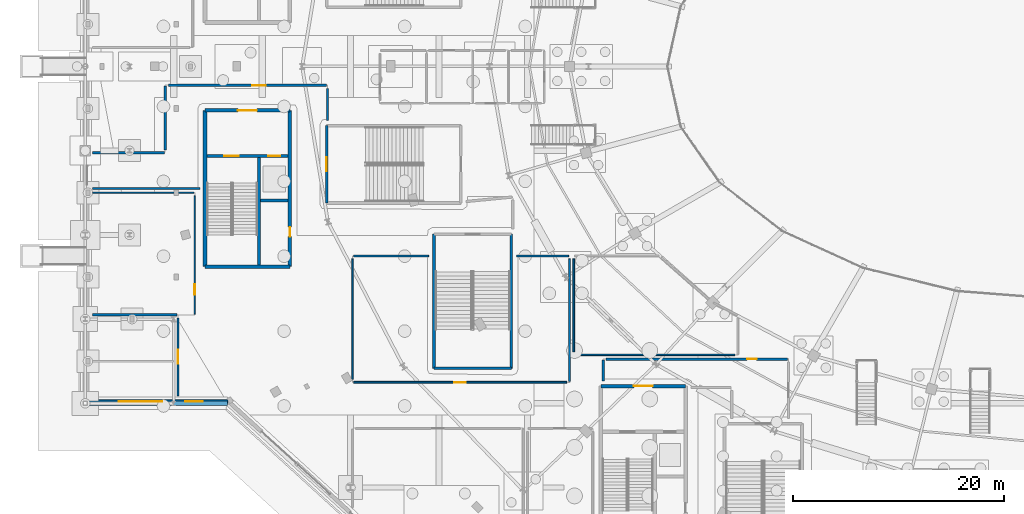
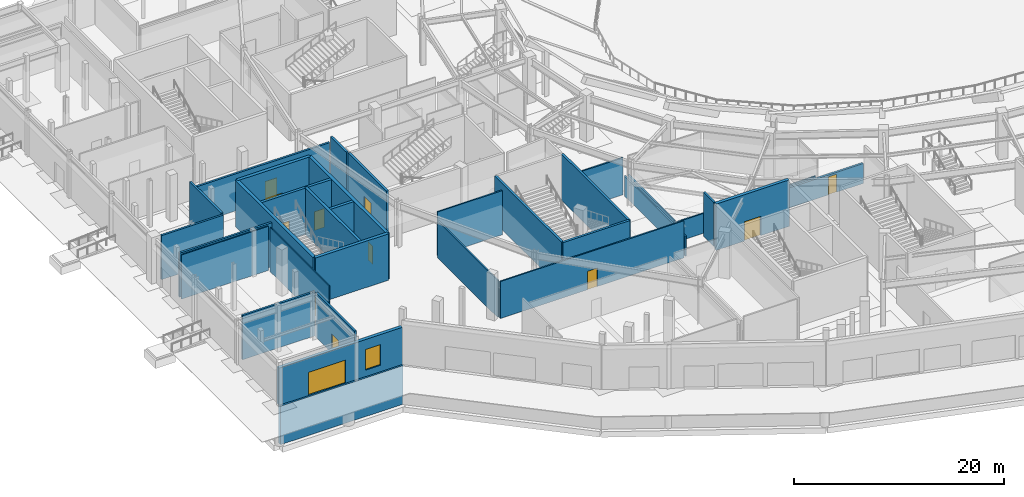
# One storey, part 52 of 93: 32 walls, 12 doors, 1 window, 13 openings.
"""IFC4 building model written with IfcOpenShell, lengths in metres."""

from ifc_helpers import new_model, si_unit, direction, frame, frame_2d, origin, place, context, subcontext, project, spatial, rectangle, extrude, material, layer, layer_set, type_object, element, fill, save


model = new_model("IFC4")

# Units and contexts
model_context = context("Model", 3, precision=1e-05, world=origin(), true_north=direction((0.0, 1.0)))
body_context = subcontext(model_context, "Body", "Model", "MODEL_VIEW")
ifc_project = project(units=[si_unit("LENGTHUNIT", "METRE"), si_unit("AREAUNIT", "SQUARE_METRE"), si_unit("VOLUMEUNIT", "CUBIC_METRE"), si_unit("PLANEANGLEUNIT", "RADIAN"), si_unit("MASSUNIT", "GRAM", prefix="KILO")], contexts=[model_context])

# Site, building, storey
site_placement = place(None, origin())
site = spatial("IfcSite", under=ifc_project, at=site_placement, CompositionType="ELEMENT")
building_placement = place(site_placement, origin())
building = spatial("IfcBuilding", under=site, at=building_placement, Name="Kalgoora Escarpment Arena", CompositionType="ELEMENT")
storey_placement = place(building_placement, origin())
storey = spatial("IfcBuildingStorey", under=building, at=storey_placement, Name="L00", CompositionType="ELEMENT", Elevation=0.0)

# Walls
ifc_material_1 = material(Name="Impact-resistant athlete corridor partition", Category="gypsum")
ifc_layer_1 = layer(ifc_material_1, 0.155029296875)
ifc_layer_set_1 = layer_set([ifc_layer_1], Name="WAL-BOH-155")
wall_type_1 = type_object("IfcWallType", Name="WAL-BOH-155", PredefinedType="PARTITIONING", material=ifc_layer_set_1)
wall_1_placement = place(storey_placement, frame((25.47998046875, 46.0, 0.0), z_axis=(0.0, 0.0, 1.0), x_axis=(1.0, 0.0, 0.0)))
element("IfcWall", 1, at=wall_1_placement, inside=storey, type_object=wall_type_1, Name="L00 Athlete Warm-Up Studio partition wall", PredefinedType="PARTITIONING", context=body_context, shape_type="SweptSolid", body=[
    extrude(rectangle(XDim=7.14501953125, YDim=0.155029296875, at=frame_2d((3.572509765625, 0.0))), origin(), (0.0, 0.0, 1.0), 5.139892578125),
])
wall_2_placement = place(storey_placement, frame((40.97509765625, 46.0, 0.0), z_axis=(0.0, 0.0, 1.0), x_axis=(1.0, 0.0, 0.0)))
element("IfcWall", 2, at=wall_2_placement, inside=storey, type_object=wall_type_1, Name="L00 Athlete Warm-Up Studio partition wall", PredefinedType="PARTITIONING", context=body_context, shape_type="SweptSolid", body=[
    extrude(rectangle(XDim=4.94482421875, YDim=0.155029296875, at=frame_2d((2.472412109375, 0.0))), origin(), (0.0, 0.0, 1.0), 4.31494140625),
])
wall_3_placement = place(storey_placement, frame((46.0, 45.715087890625, 0.0), z_axis=(0.0, 0.0, 1.0), x_axis=(0.0, -1.0, 0.0)))
element("IfcWall", 3, at=wall_3_placement, inside=storey, type_object=wall_type_1, Name="L00 Athlete Warm-Up Studio partition wall", PredefinedType="PARTITIONING", context=body_context, shape_type="SweptSolid", body=[
    extrude(rectangle(XDim=11.635009765625, YDim=0.155029296875, at=frame_2d((5.8173828125, 0.0))), origin(), (0.0, 0.0, 1.0), 2.322998046875),
])

# Wall, opening, door
wall_4_placement = place(storey_placement, frame((45.715087890625, 34.0, 0.0), z_axis=(0.0, 0.0, 1.0), x_axis=(-1.0, 0.0, 0.0)))
wall_4 = element("IfcWall", 4, at=wall_4_placement, inside=storey, type_object=wall_type_1, Name="L00 Athlete Warm-Up Studio partition wall", PredefinedType="PARTITIONING", context=body_context, shape_type="SweptSolid", body=[
    extrude(rectangle(XDim=20.235107421875, YDim=0.155029296875, at=frame_2d((10.11767578125, 0.0))), origin(), (0.0, 0.0, 1.0), 4.31494140625),
])
opening_1_placement = place(wall_4_placement, frame((9.57763671875, 0.0, 0.0)))
opening_1 = element("IfcOpeningElement", 5, at=opening_1_placement, cuts=wall_4, Name="Opening FD-I014", PredefinedType="OPENING", context=body_context, shape_type="SweptSolid", body=[
    extrude(rectangle(XDim=1.080078125, YDim=2.14990234375, at=frame_2d((0.5400390625, 1.074951171875))), frame((0.0, 0.08740234375, 0.0), z_axis=(0.0, -1.0, 0.0), x_axis=(1.0, 0.0, 0.0)), (0.0, 0.0, 1.0), 0.175048828125),
])
ifc_material_2 = material(Name="Solid-core acoustic timber door", Category="wood")
door_type_1 = type_object("IfcDoorType", Name="DR-GEN-1080", OperationType="NOTDEFINED", PredefinedType="DOOR", material=ifc_material_2)
door_1_placement = place(opening_1_placement, origin())
door_1 = element("IfcDoor", 6, at=door_1_placement, inside=storey, type_object=door_type_1, Name="Athlete Warm-Up Studio entrance door", OperationType="SINGLE_SWING_LEFT", OverallHeight=2.14990234375, OverallWidth=1.080078125, PredefinedType="DOOR", context=body_context, shape_type="SweptSolid", body=[
    extrude(rectangle(XDim=1.080078125, YDim=2.14990234375, at=frame_2d((0.5400390625, 1.074951171875))), frame((0.0, 0.02490234375, 0.0), z_axis=(0.0, -1.0, 0.0), x_axis=(1.0, 0.0, 0.0)), (0.0, 0.0, 1.0), 0.050048828125),
])
fill(opening_1, door_1)

# Walls
wall_5_placement = place(storey_placement, frame((25.39990234375, 34.284912109375, 0.0), z_axis=(0.0, 0.0, 1.0), x_axis=(0.0, 1.0, 0.0)))
element("IfcWall", 7, at=wall_5_placement, inside=storey, type_object=wall_type_1, Name="L00 Athlete Warm-Up Studio partition wall", PredefinedType="PARTITIONING", context=body_context, shape_type="SweptSolid", body=[
    extrude(rectangle(XDim=11.43017578125, YDim=0.155029296875, at=frame_2d((5.715087890625, 0.0))), origin(), (0.0, 0.0, 1.0), 4.31494140625),
])
ifc_material_3 = material(Name="Concrete N50 (fc' 50 MPa)", Category="concrete")
ifc_layer_2 = layer(ifc_material_3, 0.35009765625)
ifc_layer_set_2 = layer_set([ifc_layer_2], Name="WAL-CORE-350")
wall_type_2 = type_object("IfcWallType", Name="WAL-CORE-350", PredefinedType="SHEAR", material=ifc_layer_set_2)
wall_6_placement = place(storey_placement, frame((11.375, 44.97509765625, 0.0), z_axis=(0.0, 0.0, 1.0), x_axis=(1.0, 0.0, 0.0)))
element("IfcWall", 8, at=wall_6_placement, inside=storey, type_object=wall_type_2, Name="Core C2 L00 south shear wall", PredefinedType="SHEAR", context=body_context, shape_type="SweptSolid", body=[
    extrude(rectangle(XDim=8.050048828125, YDim=0.35009765625, at=frame_2d((4.02490234375, 0.0))), origin(), (0.0, 0.0, 1.0), 5.39990234375),
])

# Wall, opening, door
wall_7_placement = place(storey_placement, frame((11.375, 59.824951171875, 0.0), z_axis=(0.0, 0.0, 1.0), x_axis=(1.0, 0.0, 0.0)))
wall_7 = element("IfcWall", 9, at=wall_7_placement, inside=storey, type_object=wall_type_2, Name="Core C2 L00 north lobby wall", PredefinedType="SHEAR", context=body_context, shape_type="SweptSolid", body=[
    extrude(rectangle(XDim=8.050048828125, YDim=0.35009765625, at=frame_2d((4.02490234375, 0.0))), origin(), (0.0, 0.0, 1.0), 5.39990234375),
])
opening_2_placement = place(wall_7_placement, frame((3.125, 0.0, 0.0)))
opening_2 = element("IfcOpeningElement", 10, at=opening_2_placement, cuts=wall_7, Name="Opening FD-C2L", PredefinedType="OPENING", context=body_context, shape_type="SweptSolid", body=[
    extrude(rectangle(XDim=1.800048828125, YDim=2.25, at=frame_2d((0.89990234375, 1.125))), frame((0.0, 0.18505859375, 0.0), z_axis=(0.0, -1.0, 0.0), x_axis=(1.0, 0.0, 0.0)), (0.0, 0.0, 1.0), 0.3701171875),
])
ifc_material_4 = material(Name="Double fire-rated smoke-seal lobby door")
door_type_2 = type_object("IfcDoorType", Name="DR-LOBBY-1800", OperationType="NOTDEFINED", PredefinedType="DOOR", material=ifc_material_4)
door_2_placement = place(opening_2_placement, origin())
door_2 = element("IfcDoor", 11, at=door_2_placement, inside=storey, type_object=door_type_2, Name="Core C2 L00 smoke-lobby fire door", OperationType="DOUBLE_DOOR_SINGLE_SWING", OverallHeight=2.25, OverallWidth=1.800048828125, PredefinedType="DOOR", context=body_context, shape_type="SweptSolid", body=[
    extrude(rectangle(XDim=1.800048828125, YDim=2.25, at=frame_2d((0.89990234375, 1.125))), frame((0.0, 0.02490234375, 0.0), z_axis=(0.0, -1.0, 0.0), x_axis=(1.0, 0.0, 0.0)), (0.0, 0.0, 1.0), 0.050048828125),
])
fill(opening_2, door_2)

# Wall
wall_8_placement = place(storey_placement, frame((11.375, 44.97509765625, 0.0), z_axis=(0.0, 0.0, 1.0), x_axis=(0.0, 1.0, 0.0)))
element("IfcWall", 12, at=wall_8_placement, inside=storey, type_object=wall_type_2, Name="Core C2 L00 west shear wall", PredefinedType="SHEAR", context=body_context, shape_type="SweptSolid", body=[
    extrude(rectangle(XDim=14.849853515625, YDim=0.35009765625, at=frame_2d((7.4248046875, 0.0))), origin(), (0.0, 0.0, 1.0), 5.39990234375),
])

# Wall, opening, door
wall_9_placement = place(storey_placement, frame((19.425048828125, 44.97509765625, 0.0), z_axis=(0.0, 0.0, 1.0), x_axis=(0.0, 1.0, 0.0)))
wall_9 = element("IfcWall", 13, at=wall_9_placement, inside=storey, type_object=wall_type_2, Name="Core C2 L00 east shear wall", PredefinedType="SHEAR", context=body_context, shape_type="SweptSolid", body=[
    extrude(rectangle(XDim=14.849853515625, YDim=0.35009765625, at=frame_2d((7.4248046875, 0.0))), origin(), (0.0, 0.0, 1.0), 5.39990234375),
])
opening_3_placement = place(wall_9_placement, frame((2.85498046875, 0.0, 0.0)))
opening_3 = element("IfcOpeningElement", 14, at=opening_3_placement, cuts=wall_9, Name="Opening FD-C2R", PredefinedType="OPENING", context=body_context, shape_type="SweptSolid", body=[
    extrude(rectangle(XDim=0.89990234375, YDim=2.10009765625, at=frame_2d((0.449951171875, 1.050048828125))), frame((0.0, 0.18505859375, 0.0), z_axis=(0.0, -1.0, 0.0), x_axis=(1.0, 0.0, 0.0)), (0.0, 0.0, 1.0), 0.3701171875),
])
ifc_material_5 = material(Name="Fire-rated steel riser access door", Category="steel")
door_type_3 = type_object("IfcDoorType", Name="DR-RISER-0900", OperationType="NOTDEFINED", PredefinedType="DOOR", material=ifc_material_5)
door_3_placement = place(opening_3_placement, origin())
door_3 = element("IfcDoor", 15, at=door_3_placement, inside=storey, type_object=door_type_3, Name="Core C2 L00 riser cupboard access door", OperationType="SINGLE_SWING_RIGHT", OverallHeight=2.10009765625, OverallWidth=0.89990234375, PredefinedType="DOOR", context=body_context, shape_type="SweptSolid", body=[
    extrude(rectangle(XDim=0.89990234375, YDim=2.10009765625, at=frame_2d((0.449951171875, 1.050048828125))), frame((0.0, 0.02490234375, 0.0), z_axis=(0.0, -1.0, 0.0), x_axis=(1.0, 0.0, 0.0)), (0.0, 0.0, 1.0), 0.050048828125),
])
fill(opening_3, door_3)

wall_10_placement = place(storey_placement, frame((48.97509765625, 33.625, 0.0), z_axis=(0.0, 0.0, 1.0), x_axis=(1.0, 0.0, 0.0)))
wall_10 = element("IfcWall", 16, at=wall_10_placement, inside=storey, type_object=wall_type_2, Name="Core C5 L00 north lobby wall", PredefinedType="SHEAR", context=body_context, shape_type="SweptSolid", body=[
    extrude(rectangle(XDim=8.0498046875, YDim=0.35009765625, at=frame_2d((4.02490234375, 0.0))), origin(), (0.0, 0.0, 1.0), 5.39990234375),
])
opening_4_placement = place(wall_10_placement, frame((3.125, 0.0, 0.0)))
opening_4 = element("IfcOpeningElement", 17, at=opening_4_placement, cuts=wall_10, Name="Opening FD-C5L", PredefinedType="OPENING", context=body_context, shape_type="SweptSolid", body=[
    extrude(rectangle(XDim=1.800048828125, YDim=2.25, at=frame_2d((0.89990234375, 1.125))), frame((0.0, 0.18505859375, 0.0), z_axis=(0.0, -1.0, 0.0), x_axis=(1.0, 0.0, 0.0)), (0.0, 0.0, 1.0), 0.3701171875),
])
door_4_placement = place(opening_4_placement, origin())
door_4 = element("IfcDoor", 18, at=door_4_placement, inside=storey, type_object=door_type_2, Name="Core C5 L00 smoke-lobby fire door", OperationType="DOUBLE_DOOR_SINGLE_SWING", OverallHeight=2.25, OverallWidth=1.800048828125, PredefinedType="DOOR", context=body_context, shape_type="SweptSolid", body=[
    extrude(rectangle(XDim=1.800048828125, YDim=2.25, at=frame_2d((0.89990234375, 1.125))), frame((0.0, 0.02490234375, 0.0), z_axis=(0.0, -1.0, 0.0), x_axis=(1.0, 0.0, 0.0)), (0.0, 0.0, 1.0), 0.050048828125),
])
fill(opening_4, door_4)

# Wall, openings, door, window
ifc_material_6 = material(Name="Cream limestone-faced precast concrete 40 MPa", Category="masonry")
ifc_layer_3 = layer(ifc_material_6, 0.360107421875)
ifc_layer_set_3 = layer_set([ifc_layer_3], Name="WAL-EXT-360")
wall_type_3 = type_object("IfcWallType", Name="WAL-EXT-360", PredefinedType="SOLIDWALL", material=ifc_layer_set_3)
wall_11_placement = place(storey_placement, frame((13.5712890625, 32.179931640625, 0.0), z_axis=(0.0, 0.0, 1.0), x_axis=(-1.0, 0.0, 0.0)))
wall_11 = element("IfcWall", 19, at=wall_11_placement, inside=storey, type_object=wall_type_3, Name="L00 limestone-faced external wall 010", PredefinedType="SOLIDWALL", context=body_context, shape_type="SweptSolid", body=[
    extrude(rectangle(XDim=13.614501953125, YDim=0.360107421875, at=frame_2d((6.80712890625, 0.0))), origin(), (0.0, 0.0, 1.0), 4.324951171875),
])
opening_5_placement = place(wall_11_placement, frame((6.280029296875, 0.0, 0.0)))
opening_5 = element("IfcOpeningElement", 20, at=opening_5_placement, cuts=wall_11, Name="Opening G44", PredefinedType="OPENING", context=body_context, shape_type="SweptSolid", body=[
    extrude(rectangle(XDim=4.10009765625, YDim=2.699951171875, at=frame_2d((2.050048828125, 1.35009765625))), frame((0.0, 0.18994140625, 0.0), z_axis=(0.0, -1.0, 0.0), x_axis=(1.0, 0.0, 0.0)), (0.0, 0.0, 1.0), 0.380126953125),
])
opening_6_placement = place(wall_11_placement, frame((2.425048828125, 0.0, 0.75)))
opening_6 = element("IfcOpeningElement", 21, at=opening_6_placement, cuts=wall_11, Name="Opening W-02", PredefinedType="OPENING", context=body_context, shape_type="SweptSolid", body=[
    extrude(rectangle(XDim=1.64990234375, YDim=2.39990234375, at=frame_2d((0.824951171875, 1.199951171875))), frame((0.0, 0.18994140625, 0.0), z_axis=(0.0, -1.0, 0.0), x_axis=(1.0, 0.0, 0.0)), (0.0, 0.0, 1.0), 0.380126953125),
])
ifc_material_7 = material(Name="Champagne anodised aluminium acoustic egress leaf", Category="aluminium")
door_type_4 = type_object("IfcDoorType", Name="DR-EGEXIT-2700", OperationType="NOTDEFINED", PredefinedType="DOOR", material=ifc_material_7)
door_5_placement = place(opening_5_placement, origin())
door_5 = element("IfcDoor", 22, at=door_5_placement, inside=storey, type_object=door_type_4, Name="Final pedestrian exit door G44", OperationType="DOUBLE_DOOR_SINGLE_SWING", OverallHeight=2.699951171875, OverallWidth=4.10009765625, PredefinedType="DOOR", context=body_context, shape_type="SweptSolid", body=[
    extrude(rectangle(XDim=4.10009765625, YDim=2.699951171875, at=frame_2d((2.050048828125, 1.35009765625))), frame((0.0, 0.02490234375, 0.0), z_axis=(0.0, -1.0, 0.0), x_axis=(1.0, 0.0, 0.0)), (0.0, 0.0, 1.0), 0.050048828125),
])
fill(opening_5, door_5)
ifc_material_8 = material(Name="Low-E solar-control double glazing in champagne frame", Category="glass")
window_type = type_object("IfcWindowType", Name="WIN-DECO-1650x2400", PartitioningType="SINGLE_PANEL", PredefinedType="WINDOW", material=ifc_material_8)
window_placement = place(opening_6_placement, origin())
window = element("IfcWindow", 23, at=window_placement, inside=storey, type_object=window_type, Name="L00 scheduled facade window 002", OverallHeight=2.39990234375, OverallWidth=1.64990234375, PartitioningType="SINGLE_PANEL", PredefinedType="WINDOW", context=body_context, shape_type="SweptSolid", body=[
    extrude(rectangle(XDim=1.64990234375, YDim=2.39990234375, at=frame_2d((0.824951171875, 1.199951171875))), frame((0.0, 0.030029296875, 0.0), z_axis=(0.0, -1.0, 0.0), x_axis=(1.0, 0.0, 0.0)), (0.0, 0.0, 1.0), 0.06005859375),
])
fill(opening_6, window)

# Wall
ifc_material_9 = material(Name="Autoclaved aerated blockwork Concrete N40 (fc' 40 MPa)", Category="masonry")
ifc_layer_4 = layer(ifc_material_9, 0.219970703125)
ifc_layer_set_4 = layer_set([ifc_layer_4], Name="WAL-FIRE-220")
wall_type_4 = type_object("IfcWallType", Name="WAL-FIRE-220", PredefinedType="SOLIDWALL", material=ifc_layer_set_4)
wall_12_placement = place(storey_placement, frame((0.7099609375, 40.39990234375, 0.0), z_axis=(0.0, 0.0, 1.0), x_axis=(1.0, 0.0, 0.0)))
element("IfcWall", 24, at=wall_12_placement, inside=storey, type_object=wall_type_4, Name="L00 Fire Control Centre partition wall", PredefinedType="SOLIDWALL", context=body_context, shape_type="SweptSolid", body=[
    extrude(rectangle(XDim=8.010009765625, YDim=0.219970703125, at=frame_2d((4.0048828125, 0.0))), origin(), (0.0, 0.0, 1.0), 5.139892578125),
])

# Wall, opening, door
wall_13_placement = place(storey_placement, frame((8.800048828125, 40.115234375, 0.0), z_axis=(0.0, 0.0, 1.0), x_axis=(0.0, -1.0, 0.0)))
wall_13 = element("IfcWall", 25, at=wall_13_placement, inside=storey, type_object=wall_type_4, Name="L00 Fire Control Centre partition wall", PredefinedType="SOLIDWALL", context=body_context, shape_type="SweptSolid", body=[
    extrude(rectangle(XDim=7.4052734375, YDim=0.219970703125, at=frame_2d((3.70263671875, 0.0))), origin(), (0.0, 0.0, 1.0), 5.139892578125),
])
opening_7_placement = place(wall_13_placement, frame((3.04248046875, 0.0, 0.0)))
opening_7 = element("IfcOpeningElement", 26, at=opening_7_placement, cuts=wall_13, Name="Opening FD-I010", PredefinedType="OPENING", context=body_context, shape_type="SweptSolid", body=[
    extrude(rectangle(XDim=1.320068359375, YDim=2.199951171875, at=frame_2d((0.66015625, 1.10009765625))), frame((0.0, 0.119873046875, 0.0), z_axis=(0.0, -1.0, 0.0), x_axis=(1.0, 0.0, 0.0)), (0.0, 0.0, 1.0), 0.239990234375),
])
ifc_material_10 = material(Name="Fire-rated steel stair leaf with vision panel", Category="steel")
door_type_5 = type_object("IfcDoorType", Name="DR-STAIR-1320", OperationType="NOTDEFINED", PredefinedType="DOOR", material=ifc_material_10)
door_6_placement = place(opening_7_placement, origin())
door_6 = element("IfcDoor", 27, at=door_6_placement, inside=storey, type_object=door_type_5, Name="Fire Control Centre entrance door", OperationType="SINGLE_SWING_RIGHT", OverallHeight=2.199951171875, OverallWidth=1.320068359375, PredefinedType="DOOR", context=body_context, shape_type="SweptSolid", body=[
    extrude(rectangle(XDim=1.320068359375, YDim=2.199951171875, at=frame_2d((0.66015625, 1.10009765625))), frame((0.0, 0.02490234375, 0.0), z_axis=(0.0, -1.0, 0.0), x_axis=(1.0, 0.0, 0.0)), (0.0, 0.0, 1.0), 0.050048828125),
])
fill(opening_7, door_6)

# Walls
wall_14_placement = place(storey_placement, frame((10.875, 52.39990234375, 0.0), z_axis=(0.0, 0.0, 1.0), x_axis=(-1.0, 0.0, 0.0)))
element("IfcWall", 28, at=wall_14_placement, inside=storey, type_object=wall_type_4, Name="L00 West Protected Exit Passageway partition wall", PredefinedType="SOLIDWALL", context=body_context, shape_type="SweptSolid", body=[
    extrude(rectangle(XDim=10.1650390625, YDim=0.219970703125, at=frame_2d((5.08251953125, 0.0))), origin(), (0.0, 0.0, 1.0), 5.139892578125),
])
wall_15_placement = place(storey_placement, frame((0.7099609375, 55.800048828125, 0.0), z_axis=(0.0, 0.0, 1.0), x_axis=(1.0, 0.0, 0.0)))
element("IfcWall", 29, at=wall_15_placement, inside=storey, type_object=wall_type_4, Name="L00 West Protected Exit Passageway partition wall", PredefinedType="SOLIDWALL", context=body_context, shape_type="SweptSolid", body=[
    extrude(rectangle(XDim=6.81005859375, YDim=0.219970703125, at=frame_2d((3.405029296875, 0.0))), origin(), (0.0, 0.0, 1.0), 5.139892578125),
])
wall_16_placement = place(storey_placement, frame((7.60009765625, 56.084716796875, 0.0), z_axis=(0.0, 0.0, 1.0), x_axis=(0.0, 1.0, 0.0)))
element("IfcWall", 30, at=wall_16_placement, inside=storey, type_object=wall_type_4, Name="L00 West Protected Exit Passageway partition wall", PredefinedType="SOLIDWALL", context=body_context, shape_type="SweptSolid", body=[
    extrude(rectangle(XDim=6.035400390625, YDim=0.219970703125, at=frame_2d((3.017578125, 0.0))), origin(), (0.0, 0.0, 1.0), 5.139892578125),
])

# Wall, opening, door
wall_17_placement = place(storey_placement, frame((7.884765625, 62.199951171875, 0.0), z_axis=(0.0, 0.0, 1.0), x_axis=(1.0, 0.0, 0.0)))
wall_17 = element("IfcWall", 31, at=wall_17_placement, inside=storey, type_object=wall_type_4, Name="L00 West Protected Exit Passageway partition wall", PredefinedType="SOLIDWALL", context=body_context, shape_type="SweptSolid", body=[
    extrude(rectangle(XDim=15.03515625, YDim=0.219970703125, at=frame_2d((7.517578125, 0.0))), origin(), (0.0, 0.0, 1.0), 4.304931640625),
])
opening_8_placement = place(wall_17_placement, frame((7.954833984375, 0.0, 0.0)))
opening_8 = element("IfcOpeningElement", 32, at=opening_8_placement, cuts=wall_17, Name="Opening FD-I037", PredefinedType="OPENING", context=body_context, shape_type="SweptSolid", body=[
    extrude(rectangle(XDim=1.320068359375, YDim=2.199951171875, at=frame_2d((0.66015625, 1.10009765625))), frame((0.0, 0.119873046875, 0.0), z_axis=(0.0, -1.0, 0.0), x_axis=(1.0, 0.0, 0.0)), (0.0, 0.0, 1.0), 0.239990234375),
])
door_7_placement = place(opening_8_placement, origin())
door_7 = element("IfcDoor", 33, at=door_7_placement, inside=storey, type_object=door_type_5, Name="West Protected Exit Passageway entrance door", OperationType="SINGLE_SWING_RIGHT", OverallHeight=2.199951171875, OverallWidth=1.320068359375, PredefinedType="DOOR", context=body_context, shape_type="SweptSolid", body=[
    extrude(rectangle(XDim=1.320068359375, YDim=2.199951171875, at=frame_2d((0.66015625, 1.10009765625))), frame((0.0, 0.02490234375, 0.0), z_axis=(0.0, -1.0, 0.0), x_axis=(1.0, 0.0, 0.0)), (0.0, 0.0, 1.0), 0.050048828125),
])
fill(opening_8, door_7)

# Walls
wall_18_placement = place(storey_placement, frame((23.000732421875, 61.915283203125, 0.0), z_axis=(0.0, 0.0, 1.0), x_axis=(0.002168147156, -0.999997649566, 0.0)))
element("IfcWall", 34, at=wall_18_placement, inside=storey, type_object=wall_type_4, Name="L00 West Protected Exit Passageway partition wall", PredefinedType="SOLIDWALL", context=body_context, shape_type="SweptSolid", body=[
    extrude(rectangle(XDim=3.040283203125, YDim=0.219970703125, at=frame_2d((1.52001953125, 0.0))), origin(), (0.0, 0.0, 1.0), 5.139892578125),
])
wall_19_placement = place(storey_placement, frame((49.199951171875, 34.125, 0.0), z_axis=(0.0, 0.0, 1.0), x_axis=(0.0, 1.0, 0.0)))
element("IfcWall", 35, at=wall_19_placement, inside=storey, type_object=wall_type_4, Name="L00 South-West Protected Exit Passageway 2 partition wall", PredefinedType="SOLIDWALL", context=body_context, shape_type="SweptSolid", body=[
    extrude(rectangle(XDim=1.9951171875, YDim=0.219970703125, at=frame_2d((0.99755859375, 0.0))), origin(), (0.0, 0.0, 1.0), 5.139892578125),
])

# Wall, opening, door
wall_20_placement = place(storey_placement, frame((49.48486328125, 36.199951171875, 0.0), z_axis=(0.0, 0.0, 1.0), x_axis=(1.0, 0.0, 0.0)))
wall_20 = element("IfcWall", 36, at=wall_20_placement, inside=storey, type_object=wall_type_4, Name="L00 South-West Protected Exit Passageway 2 partition wall", PredefinedType="SOLIDWALL", context=body_context, shape_type="SweptSolid", body=[
    extrude(rectangle(XDim=17.235107421875, YDim=0.219970703125, at=frame_2d((8.61767578125, 0.0))), origin(), (0.0, 0.0, 1.0), 2.322998046875),
])
opening_9_placement = place(wall_20_placement, frame((13.39501953125, 0.0, 0.0)))
opening_9 = element("IfcOpeningElement", 37, at=opening_9_placement, cuts=wall_20, Name="Opening FD-I029", PredefinedType="OPENING", context=body_context, shape_type="SweptSolid", body=[
    extrude(rectangle(XDim=0.89990234375, YDim=2.10009765625, at=frame_2d((0.449951171875, 1.050048828125))), frame((0.0, 0.119873046875, 0.0), z_axis=(0.0, -1.0, 0.0), x_axis=(1.0, 0.0, 0.0)), (0.0, 0.0, 1.0), 0.239990234375),
])
door_8_placement = place(opening_9_placement, origin())
door_8 = element("IfcDoor", 38, at=door_8_placement, inside=storey, type_object=door_type_3, Name="Cold Beverage Cellar entrance door", OperationType="SINGLE_SWING_LEFT", OverallHeight=2.10009765625, OverallWidth=0.89990234375, PredefinedType="DOOR", context=body_context, shape_type="SweptSolid", body=[
    extrude(rectangle(XDim=0.89990234375, YDim=2.10009765625, at=frame_2d((0.449951171875, 1.050048828125))), frame((0.0, 0.02490234375, 0.0), z_axis=(0.0, -1.0, 0.0), x_axis=(1.0, 0.0, 0.0)), (0.0, 0.0, 1.0), 0.050048828125),
])
fill(opening_9, door_8)

# Wall
ifc_material_11 = material(Name="Light steel-stud office partition", Category="steel")
ifc_layer_5 = layer(ifc_material_11, 0.114990234375)
ifc_layer_set_5 = layer_set([ifc_layer_5], Name="WAL-OFF-115")
wall_type_5 = type_object("IfcWallType", Name="WAL-OFF-115", PredefinedType="PARTITIONING", material=ifc_layer_set_5)
wall_21_placement = place(storey_placement, frame((0.7099609375, 52.0, 0.0), z_axis=(0.0, 0.0, 1.0), x_axis=(1.0, 0.0, 0.0)))
element("IfcWall", 39, at=wall_21_placement, inside=storey, type_object=wall_type_5, Name="L00 Security Marshalling Office partition wall", PredefinedType="PARTITIONING", context=body_context, shape_type="SweptSolid", body=[
    extrude(rectangle(XDim=9.610107421875, YDim=0.114990234375, at=frame_2d((4.80517578125, 0.0))), origin(), (0.0, 0.0, 1.0), 5.139892578125),
])

# Wall, opening, door
wall_22_placement = place(storey_placement, frame((10.39990234375, 51.715087890625, 0.0), z_axis=(0.0, 0.0, 1.0), x_axis=(0.0, -1.0, 0.0)))
wall_22 = element("IfcWall", 40, at=wall_22_placement, inside=storey, type_object=wall_type_5, Name="L00 Security Marshalling Office partition wall", PredefinedType="PARTITIONING", context=body_context, shape_type="SweptSolid", body=[
    extrude(rectangle(XDim=11.235107421875, YDim=0.114990234375, at=frame_2d((5.61767578125, 0.0))), origin(), (0.0, 0.0, 1.0), 5.139892578125),
])
opening_10_placement = place(wall_22_placement, frame((8.4091796875, 0.0, 0.0)))
opening_10 = element("IfcOpeningElement", 41, at=opening_10_placement, cuts=wall_22, Name="Opening D-I030", PredefinedType="OPENING", context=body_context, shape_type="SweptSolid", body=[
    extrude(rectangle(XDim=0.97998046875, YDim=2.14990234375, at=frame_2d((0.489990234375, 1.074951171875))), frame((0.0, 0.0673828125, 0.0), z_axis=(0.0, -1.0, 0.0), x_axis=(1.0, 0.0, 0.0)), (0.0, 0.0, 1.0), 0.135009765625),
])
ifc_material_12 = material(Name="Solid-core acoustic timber door", Category="wood")
door_type_6 = type_object("IfcDoorType", Name="DR-GEN-0980", OperationType="NOTDEFINED", PredefinedType="DOOR", material=ifc_material_12)
door_9_placement = place(opening_10_placement, origin())
door_9 = element("IfcDoor", 42, at=door_9_placement, inside=storey, type_object=door_type_6, Name="Security Marshalling Office entrance door", OperationType="SINGLE_SWING_RIGHT", OverallHeight=2.14990234375, OverallWidth=0.97998046875, PredefinedType="DOOR", context=body_context, shape_type="SweptSolid", body=[
    extrude(rectangle(XDim=0.97998046875, YDim=2.14990234375, at=frame_2d((0.489990234375, 1.074951171875))), frame((0.0, 0.02490234375, 0.0), z_axis=(0.0, -1.0, 0.0), x_axis=(1.0, 0.0, 0.0)), (0.0, 0.0, 1.0), 0.050048828125),
])
fill(opening_10, door_9)

# Walls
ifc_material_13 = material(Name="Concrete N40 (fc' 40 MPa)", Category="concrete")
ifc_layer_6 = layer(ifc_material_13, 0.39501953125)
ifc_layer_set_6 = layer_set([ifc_layer_6], Name="WAL-RET-395")
wall_type_6 = type_object("IfcWallType", Name="WAL-RET-395", PredefinedType="USERDEFINED", material=ifc_layer_set_6)
wall_23_placement = place(storey_placement, frame((13.5283203125, 32.0, -4.5), z_axis=(0.0, 0.0, 1.0), x_axis=(-1.0, 0.0, 0.0)))
element("IfcWall", 43, at=wall_23_placement, inside=storey, type_object=wall_type_6, Name="Escarpment stepped limestone plinth retaining wall 08", ObjectType="RETAININGWALL", PredefinedType="USERDEFINED", context=body_context, shape_type="SweptSolid", body=[
    extrude(rectangle(XDim=13.5283203125, YDim=0.39501953125, at=frame_2d((6.76416015625, 0.0))), origin(), (0.0, 0.0, 1.0), 4.5),
])
ifc_material_14 = material(Name="Insulated steel-stud acoustic partition", Category="steel")
ifc_layer_7 = layer(ifc_material_14, 0.14501953125)
ifc_layer_set_7 = layer_set([ifc_layer_7], Name="WAL-ROOM-145")
wall_type_7 = type_object("IfcWallType", Name="WAL-ROOM-145", PredefinedType="PARTITIONING", material=ifc_layer_set_7)
wall_24_placement = place(storey_placement, frame((61.715087890625, 36.60009765625, 0.0), z_axis=(0.0, 0.0, 1.0), x_axis=(-1.0, 0.0, 0.0)))
element("IfcWall", 44, at=wall_24_placement, inside=storey, type_object=wall_type_7, Name="L00 Cold Beverage Cellar partition wall", PredefinedType="PARTITIONING", context=body_context, shape_type="SweptSolid", body=[
    extrude(rectangle(XDim=15.235107421875, YDim=0.14501953125, at=frame_2d((7.61767578125, 0.0))), origin(), (0.0, 0.0, 1.0), 2.322998046875),
])
wall_25_placement = place(storey_placement, frame((46.39990234375, 36.884765625, 0.0), z_axis=(0.0, 0.0, 1.0), x_axis=(0.0, 1.0, 0.0)))
element("IfcWall", 45, at=wall_25_placement, inside=storey, type_object=wall_type_7, Name="L00 Cold Beverage Cellar partition wall", PredefinedType="PARTITIONING", context=body_context, shape_type="SweptSolid", body=[
    extrude(rectangle(XDim=8.830322265625, YDim=0.14501953125, at=frame_2d((4.4150390625, 0.0))), origin(), (0.0, 0.0, 1.0), 2.322998046875),
])

# Wall, openings, doors
ifc_material_15 = material(Name="Concrete N50 (fc' 50 MPa)", Category="concrete")
ifc_layer_8 = layer(ifc_material_15, 0.300048828125)
ifc_layer_set_8 = layer_set([ifc_layer_8], Name="WAL-SHAFT-300")
wall_type_8 = type_object("IfcWallType", Name="WAL-SHAFT-300", PredefinedType="SHEAR", material=ifc_layer_set_8)
wall_26_placement = place(storey_placement, frame((11.550048828125, 55.5, 0.0), z_axis=(0.0, 0.0, 1.0), x_axis=(1.0, 0.0, 0.0)))
wall_26 = element("IfcWall", 46, at=wall_26_placement, inside=storey, type_object=wall_type_8, Name="Core C2 L00 lobby shaft wall", PredefinedType="SHEAR", context=body_context, shape_type="SweptSolid", body=[
    extrude(rectangle(XDim=7.699951171875, YDim=0.300048828125, at=frame_2d((3.85009765625, 0.0))), origin(), (0.0, 0.0, 1.0), 5.39990234375),
])
opening_11_placement = place(wall_26_placement, frame((1.64990234375, 0.0, 0.0)))
opening_11 = element("IfcOpeningElement", 47, at=opening_11_placement, cuts=wall_26, Name="Opening FD-ST02", PredefinedType="OPENING", context=body_context, shape_type="SweptSolid", body=[
    extrude(rectangle(XDim=1.39990234375, YDim=2.199951171875, at=frame_2d((0.699951171875, 1.10009765625))), frame((0.0, 0.159912109375, 0.0), z_axis=(0.0, -1.0, 0.0), x_axis=(1.0, 0.0, 0.0)), (0.0, 0.0, 1.0), 0.320068359375),
])
opening_12_placement = place(wall_26_placement, frame((5.85009765625, 0.0, 0.0)))
opening_12 = element("IfcOpeningElement", 48, at=opening_12_placement, cuts=wall_26, Name="Opening LD-EL2", PredefinedType="OPENING", context=body_context, shape_type="SweptSolid", body=[
    extrude(rectangle(XDim=1.10009765625, YDim=2.199951171875, at=frame_2d((0.550048828125, 1.10009765625))), frame((0.0, 0.159912109375, 0.0), z_axis=(0.0, -1.0, 0.0), x_axis=(1.0, 0.0, 0.0)), (0.0, 0.0, 1.0), 0.320068359375),
])
ifc_material_16 = material(Name="Brushed stainless steel sliding lift landing door", Category="steel")
door_type_7 = type_object("IfcDoorType", Name="DR-LD-EL2", OperationType="SLIDING_TO_LEFT", PredefinedType="DOOR", material=ifc_material_16)
door_10_placement = place(opening_12_placement, origin())
door_10 = element("IfcDoor", 49, at=door_10_placement, inside=storey, type_object=door_type_7, Name="Lift EL2 L00 sliding landing door", OperationType="SLIDING_TO_LEFT", OverallHeight=2.199951171875, OverallWidth=1.10009765625, PredefinedType="DOOR", context=body_context, shape_type="SweptSolid", body=[
    extrude(rectangle(XDim=1.10009765625, YDim=2.199951171875, at=frame_2d((0.550048828125, 1.10009765625))), frame((0.0, 0.02490234375, 0.0), z_axis=(0.0, -1.0, 0.0), x_axis=(1.0, 0.0, 0.0)), (0.0, 0.0, 1.0), 0.050048828125),
])
fill(opening_12, door_10)
ifc_material_17 = material(Name="Fire-rated steel stair leaf with vision panel", Category="steel")
door_type_8 = type_object("IfcDoorType", Name="DR-STAIR-1400", OperationType="NOTDEFINED", PredefinedType="DOOR", material=ifc_material_17)
door_11_placement = place(opening_11_placement, origin())
door_11 = element("IfcDoor", 50, at=door_11_placement, inside=storey, type_object=door_type_8, Name="Fire stair ST02 L00 fire door", OperationType="SINGLE_SWING_LEFT", OverallHeight=2.199951171875, OverallWidth=1.39990234375, PredefinedType="DOOR", context=body_context, shape_type="SweptSolid", body=[
    extrude(rectangle(XDim=1.39990234375, YDim=2.199951171875, at=frame_2d((0.699951171875, 1.10009765625))), frame((0.0, 0.02490234375, 0.0), z_axis=(0.0, -1.0, 0.0), x_axis=(1.0, 0.0, 0.0)), (0.0, 0.0, 1.0), 0.050048828125),
])
fill(opening_11, door_11)

# Walls
wall_27_placement = place(storey_placement, frame((16.5, 45.14990234375, 0.0), z_axis=(0.0, 0.0, 1.0), x_axis=(0.0, 1.0, 0.0)))
element("IfcWall", 51, at=wall_27_placement, inside=storey, type_object=wall_type_8, Name="Core C2 L00 stair-lift spine wall", PredefinedType="SHEAR", context=body_context, shape_type="SweptSolid", body=[
    extrude(rectangle(XDim=10.35009765625, YDim=0.300048828125, at=frame_2d((5.175048828125, 0.0))), origin(), (0.0, 0.0, 1.0), 5.39990234375),
])
wall_28_placement = place(storey_placement, frame((16.64990234375, 51.25, 0.0), z_axis=(0.0, 0.0, 1.0), x_axis=(1.0, 0.0, 0.0)))
element("IfcWall", 52, at=wall_28_placement, inside=storey, type_object=wall_type_8, Name="Core C2 L00 lift-riser divider wall", PredefinedType="SHEAR", context=body_context, shape_type="SweptSolid", body=[
    extrude(rectangle(XDim=2.60009765625, YDim=0.300048828125, at=frame_2d((1.300048828125, 0.0))), origin(), (0.0, 0.0, 1.0), 5.39990234375),
])

# Wall, opening, door
ifc_material_18 = material(Name="Concrete N50 (fc' 50 MPa)", Category="concrete")
ifc_layer_9 = layer(ifc_material_18, 0.25)
ifc_layer_set_9 = layer_set([ifc_layer_9], Name="WAL-STAIR-250")
wall_type_9 = type_object("IfcWallType", Name="WAL-STAIR-250", PredefinedType="SHEAR", material=ifc_layer_set_9)
wall_29_placement = place(storey_placement, frame((22.925048828125, 51.02490234375, 0.0), z_axis=(0.0, 0.0, 1.0), x_axis=(0.0, 1.0, 0.0)))
wall_29 = element("IfcWall", 53, at=wall_29_placement, inside=storey, type_object=wall_type_9, Name="Exit stair ST18 L00 west wall", PredefinedType="SHEAR", context=body_context, shape_type="SweptSolid", body=[
    extrude(rectangle(XDim=7.35009765625, YDim=0.25, at=frame_2d((3.675048828125, 0.0))), origin(), (0.0, 0.0, 1.0), 5.39990234375),
])
opening_13_placement = place(wall_29_placement, frame((3.014892578125, 0.0, 0.0)))
opening_13 = element("IfcOpeningElement", 54, at=opening_13_placement, cuts=wall_29, Name="Opening FD-ST18X", PredefinedType="OPENING", context=body_context, shape_type="SweptSolid", body=[
    extrude(rectangle(XDim=1.320068359375, YDim=2.199951171875, at=frame_2d((0.66015625, 1.10009765625))), frame((0.0, 0.135009765625, 0.0), z_axis=(0.0, -1.0, 0.0), x_axis=(1.0, 0.0, 0.0)), (0.0, 0.0, 1.0), 0.27001953125),
])
door_12_placement = place(opening_13_placement, origin())
door_12 = element("IfcDoor", 55, at=door_12_placement, inside=storey, type_object=door_type_5, Name="Fire-isolated stair ST18 L00 protected discharge door", OperationType="SINGLE_SWING_RIGHT", OverallHeight=2.199951171875, OverallWidth=1.320068359375, PredefinedType="DOOR", context=body_context, shape_type="SweptSolid", body=[
    extrude(rectangle(XDim=1.320068359375, YDim=2.199951171875, at=frame_2d((0.66015625, 1.10009765625))), frame((0.0, 0.02490234375, 0.0), z_axis=(0.0, -1.0, 0.0), x_axis=(1.0, 0.0, 0.0)), (0.0, 0.0, 1.0), 0.050048828125),
])
fill(opening_13, door_12)

# Walls
wall_30_placement = place(storey_placement, frame((33.125, 35.324951171875, 0.0), z_axis=(0.0, 0.0, 1.0), x_axis=(1.0, 0.0, 0.0)))
element("IfcWall", 56, at=wall_30_placement, inside=storey, type_object=wall_type_9, Name="Exit stair ST20 L00 south wall", PredefinedType="SHEAR", context=body_context, shape_type="SweptSolid", body=[
    extrude(rectangle(XDim=7.35009765625, YDim=0.25, at=frame_2d((3.675048828125, 0.0))), origin(), (0.0, 0.0, 1.0), 5.39990234375),
])
for number, where, z_axis, x_axis, name in (
    (57, (33.125, 35.324951171875, 0.0), (0.0, 0.0, 1.0), (0.0, 1.0, 0.0), "Exit stair ST20 L00 west wall"),
    (58, (40.47509765625, 35.324951171875, 0.0), (0.0, 0.0, 1.0), (0.0, 1.0, 0.0), "Exit stair ST20 L00 east wall"),
):
    element("IfcWall", number, at=place(storey_placement, frame(where, z_axis=z_axis, x_axis=x_axis)), inside=storey, type_object=wall_type_9, Name=name, PredefinedType="SHEAR", context=body_context, shape_type="SweptSolid", body=[
        extrude(rectangle(XDim=12.75, YDim=0.25, at=frame_2d((6.375, 0.0))), origin(), (0.0, 0.0, 1.0), 5.39990234375),
    ])

save(model, "model.ifc")
